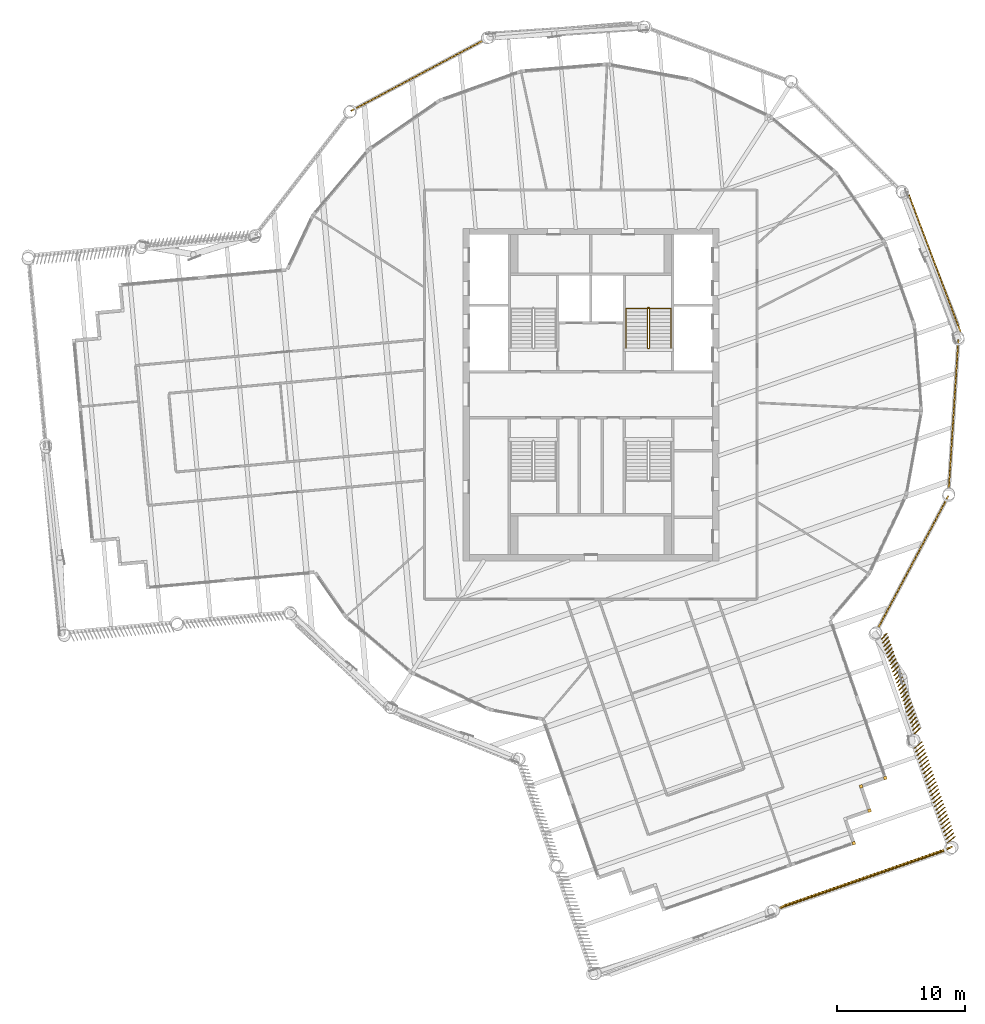
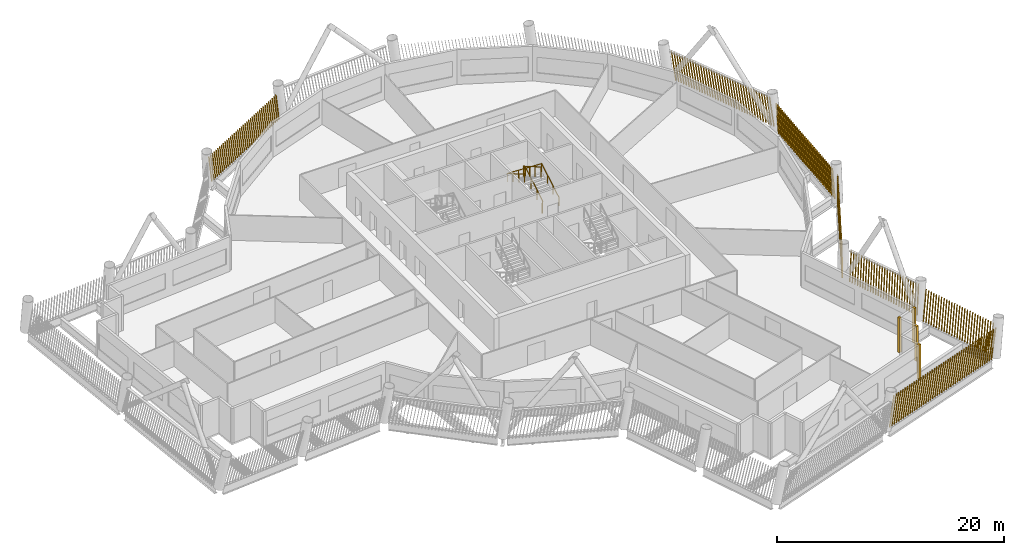
# One storey, part 21 of 23: 11 shading devices, 2 railings.
"""IFC4 building model written with IfcOpenShell, lengths in metres."""

from ifc_helpers import new_model, si_unit, direction, frame, frame_2d, origin, origin_2d, place, context, subcontext, project, spatial, rectangle, circle, composite_profile, extrude, material, type_object, element, save


model = new_model("IFC4")

# Units and contexts
model_context = context("Model", 3, precision=1e-05, world=origin(), true_north=direction((0.0, 1.0)))
body_context = subcontext(model_context, "Body", "Model", "MODEL_VIEW")
ifc_project = project(units=[si_unit("LENGTHUNIT", "METRE"), si_unit("AREAUNIT", "SQUARE_METRE"), si_unit("VOLUMEUNIT", "CUBIC_METRE"), si_unit("PLANEANGLEUNIT", "RADIAN"), si_unit("MASSUNIT", "GRAM", prefix="KILO")], contexts=[model_context])

# Site, building, storey
site_placement = place(None, origin())
site = spatial("IfcSite", under=ifc_project, at=site_placement, CompositionType="ELEMENT")
building_placement = place(site_placement, origin())
building = spatial("IfcBuilding", under=site, at=building_placement, Name="Tarsis Ring Headquarters", CompositionType="ELEMENT")
storey_placement = place(building_placement, frame((0.0, 0.0, 308.0)))
storey = spatial("IfcBuildingStorey", under=building, at=storey_placement, Name="L72", CompositionType="ELEMENT", Elevation=308.0)

# Railings
ifc_material_1 = material(Name="Steel S355", Category="steel")
railing_type_1 = type_object("IfcRailingType", Name="Core stair guard 1100", PredefinedType="GUARDRAIL", material=ifc_material_1)
railing_1_placement = place(storey_placement, frame((4.4599609375, 3.610107421875, 0.0)))
element("IfcRailing", 1, at=railing_1_placement, inside=storey, type_object=railing_type_1, Name="L72 ST2 stair guard 1", PredefinedType="GUARDRAIL", context=body_context, shape_type="SweptSolid", body=[
    extrude(circle(Radius=0.02392578125, at=origin_2d()), frame((0.0, 0.0, 1.076171875), z_axis=(1.0, 0.0, 0.0), x_axis=(0.0, 1.0, 0.0)), (0.0, 0.0, 1.0), 0.080078125),
    extrude(circle(Radius=0.02392578125, at=origin_2d()), frame((0.080078125, 0.0, 1.076171875), z_axis=(0.282336740067, 0.280959487676, 0.917250092119), x_axis=(-0.705375805398, 0.708833529934, 0.0)), (0.0, 0.0, 1.0), 0.17724609375),
    extrude(circle(Radius=0.02392578125, at=origin_2d()), frame((0.130126953125, 0.0498046875, 1.23876953125), z_axis=(0.0, 0.864920483161, 0.501908913857), x_axis=(-1.0, 0.0, 0.0)), (0.0, 0.0, 1.0), 3.56103515625),
    extrude(circle(Radius=0.02392578125, at=origin_2d()), frame((0.130126953125, 3.1298828125, 3.02587890625), z_axis=(-0.707106781187, 0.707106781187, 0.0), x_axis=(-0.707106781187, -0.707106781187, 0.0)), (0.0, 0.0, 1.0), 0.07080078125),
    extrude(circle(Radius=0.02392578125, at=origin_2d()), frame((0.080078125, 3.179931640625, 3.02587890625), z_axis=(-1.0, 0.0, 0.0), x_axis=(0.0, -1.0, 0.0)), (0.0, 0.0, 1.0), 0.080078125),
    extrude(circle(Radius=0.02392578125, at=origin_2d()), frame((0.0, 3.179931640625, 3.02587890625), z_axis=(-0.282227285176, -0.282227285176, 0.916894497205), x_axis=(0.707106781187, -0.707106781187, 0.0)), (0.0, 0.0, 1.0), 0.17724609375),
    extrude(circle(Radius=0.02392578125, at=origin_2d()), frame((-0.050048828125, 3.1298828125, 3.1884765625), z_axis=(0.0, -0.864920483161, 0.501908913857), x_axis=(1.0, 0.0, 0.0)), (0.0, 0.0, 1.0), 3.56103515625),
    extrude(circle(Radius=0.02099609375, at=origin_2d()), origin(), (0.0, 0.0, 1.0), 1.052001953125),
    extrude(circle(Radius=0.02099609375, at=origin_2d()), frame((0.080078125, 0.0, 0.0)), (0.0, 0.0, 1.0), 1.052001953125),
    extrude(circle(Radius=0.02099609375, at=origin_2d()), frame((0.130126953125, 0.0498046875, 0.16259765625)), (0.0, 0.0, 1.0), 1.052001953125),
    extrude(circle(Radius=0.02099609375, at=origin_2d()), frame((0.130126953125, 1.076416015625, 0.75830078125)), (0.0, 0.0, 1.0), 1.052001953125),
    extrude(circle(Radius=0.02099609375, at=origin_2d()), frame((0.130126953125, 2.103271484375, 1.354248046875)), (0.0, 0.0, 1.0), 1.052001953125),
    extrude(circle(Radius=0.02099609375, at=origin_2d()), frame((0.130126953125, 3.1298828125, 1.949951171875)), (0.0, 0.0, 1.0), 1.052001953125),
    extrude(circle(Radius=0.02099609375, at=origin_2d()), frame((0.080078125, 3.179931640625, 1.949951171875)), (0.0, 0.0, 1.0), 1.052001953125),
    extrude(circle(Radius=0.02099609375, at=origin_2d()), frame((0.0, 3.179931640625, 1.949951171875)), (0.0, 0.0, 1.0), 1.052001953125),
    extrude(circle(Radius=0.02099609375, at=origin_2d()), frame((-0.050048828125, 3.1298828125, 2.112548828125)), (0.0, 0.0, 1.0), 1.052001953125),
    extrude(circle(Radius=0.02099609375, at=origin_2d()), frame((-0.050048828125, 2.103271484375, 2.708251953125)), (0.0, 0.0, 1.0), 1.052001953125),
    extrude(circle(Radius=0.02099609375, at=origin_2d()), frame((-0.050048828125, 1.076416015625, 3.30419921875)), (0.0, 0.0, 1.0), 1.052001953125),
    extrude(circle(Radius=0.02099609375, at=origin_2d()), frame((-0.050048828125, 0.0498046875, 3.89990234375)), (0.0, 0.0, 1.0), 1.052001953125),
])
railing_type_2 = type_object("IfcRailingType", Name="Core stair handrail 900", PredefinedType="HANDRAIL", material=ifc_material_1)
railing_2_placement = place(storey_placement, frame((6.25, 3.659912109375, 0.16259765625)))
element("IfcRailing", 2, at=railing_2_placement, inside=storey, type_object=railing_type_2, Name="L72 ST2 stair handrail 1", PredefinedType="HANDRAIL", context=body_context, shape_type="SweptSolid", body=[
    extrude(circle(Radius=0.02392578125, at=origin_2d()), frame((0.0, 0.0, 0.8759765625), z_axis=(0.0, 0.864920483161, 0.501908913857), x_axis=(-1.0, 0.0, 0.0)), (0.0, 0.0, 1.0), 3.56103515625),
    extrude(circle(Radius=0.02392578125, at=origin_2d()), frame((0.0, 3.080078125, 2.6630859375), z_axis=(-0.998922641604, 0.0, 0.046406422943), x_axis=(0.0, -1.0, 0.0)), (0.0, 0.0, 1.0), 3.503662109375),
    extrude(circle(Radius=0.02392578125, at=origin_2d()), frame((-3.5, 3.080078125, 2.82568359375), z_axis=(0.0, -0.864920483161, 0.501908913857), x_axis=(1.0, 0.0, 0.0)), (0.0, 0.0, 1.0), 3.56103515625),
    extrude(circle(Radius=0.02099609375, at=origin_2d()), origin(), (0.0, 0.0, 1.0), 0.851806640625),
    extrude(circle(Radius=0.02099609375, at=origin_2d()), frame((0.0, 1.026611328125, 0.595703125)), (0.0, 0.0, 1.0), 0.851806640625),
    extrude(circle(Radius=0.02099609375, at=origin_2d()), frame((0.0, 2.053466796875, 1.191650390625)), (0.0, 0.0, 1.0), 0.851806640625),
    extrude(circle(Radius=0.02099609375, at=origin_2d()), frame((0.0, 3.080078125, 1.787353515625)), (0.0, 0.0, 1.0), 0.851806640625),
    extrude(circle(Radius=0.02099609375, at=origin_2d()), frame((-1.166748046875, 3.080078125, 1.841552734375)), (0.0, 0.0, 1.0), 0.851806640625),
    extrude(circle(Radius=0.02099609375, at=origin_2d()), frame((-2.333251953125, 3.080078125, 1.895751953125)), (0.0, 0.0, 1.0), 0.851806640625),
    extrude(circle(Radius=0.02099609375, at=origin_2d()), frame((-3.5, 3.080078125, 1.949951171875)), (0.0, 0.0, 1.0), 0.851806640625),
    extrude(circle(Radius=0.02099609375, at=origin_2d()), frame((-3.5, 2.053466796875, 2.545654296875)), (0.0, 0.0, 1.0), 0.851806640625),
    extrude(circle(Radius=0.02099609375, at=origin_2d()), frame((-3.5, 1.026611328125, 3.1416015625)), (0.0, 0.0, 1.0), 0.851806640625),
    extrude(circle(Radius=0.02099609375, at=origin_2d()), frame((-3.5, 0.0, 3.7373046875)), (0.0, 0.0, 1.0), 0.851806640625),
])

# Shading devices
ifc_material_2 = material(Name="Terracotta baguette", Category="masonry")
shading_device_type_1 = type_object("IfcShadingDeviceType", Name="Terracotta baguette screen", PredefinedType="USERDEFINED", material=ifc_material_2)
shading_device_1_placement = place(storey_placement, frame((14.547607421875, -40.2548828125, 0.0), z_axis=(0.0, 0.0, 1.0), x_axis=(0.944378593543, 0.328863334808, 0.0)))
element("IfcShadingDevice", 3, at=shading_device_1_placement, inside=storey, type_object=shading_device_type_1, Name="Baguette screen L72-04", ObjectType="Terracotta baguette screen", PredefinedType="USERDEFINED", context=body_context, shape_type="SweptSolid", body=[
    extrude(composite_profile([rectangle(XDim=0.06005859375, YDim=0.1201171875, at=frame_2d((0.030029296875, 0.0))), rectangle(XDim=0.06005859375, YDim=0.1201171875, at=frame_2d((0.33544921875, 0.0))), rectangle(XDim=0.06005859375, YDim=0.1201171875, at=frame_2d((0.640625, 0.0))), rectangle(XDim=0.06005859375, YDim=0.1201171875, at=frame_2d((0.946044921875, 0.0))), rectangle(XDim=0.06005859375, YDim=0.1201171875, at=frame_2d((1.25146484375, 0.0))), rectangle(XDim=0.06005859375, YDim=0.1201171875, at=frame_2d((1.556640625, 0.0))), rectangle(XDim=0.06005859375, YDim=0.1201171875, at=frame_2d((1.862060546875, 0.0))), rectangle(XDim=0.06005859375, YDim=0.1201171875, at=frame_2d((2.16748046875, 0.0))), rectangle(XDim=0.06005859375, YDim=0.1201171875, at=frame_2d((2.47265625, 0.0))), rectangle(XDim=0.06005859375, YDim=0.1201171875, at=frame_2d((2.778076171875, 0.0))), rectangle(XDim=0.06005859375, YDim=0.1201171875, at=frame_2d((3.08349609375, 0.0))), rectangle(XDim=0.06005859375, YDim=0.1201171875, at=frame_2d((3.388671875, 0.0))), rectangle(XDim=0.06005859375, YDim=0.1201171875, at=frame_2d((3.694091796875, 0.0))), rectangle(XDim=0.06005859375, YDim=0.1201171875, at=frame_2d((3.99951171875, 0.0))), rectangle(XDim=0.06005859375, YDim=0.1201171875, at=frame_2d((4.3046875, 0.0))), rectangle(XDim=0.06005859375, YDim=0.1201171875, at=frame_2d((4.610107421875, 0.0))), rectangle(XDim=0.06005859375, YDim=0.1201171875, at=frame_2d((4.91552734375, 0.0))), rectangle(XDim=0.06005859375, YDim=0.1201171875, at=frame_2d((5.220703125, 0.0))), rectangle(XDim=0.06005859375, YDim=0.1201171875, at=frame_2d((5.526123046875, 0.0))), rectangle(XDim=0.06005859375, YDim=0.1201171875, at=frame_2d((5.83154296875, 0.0))), rectangle(XDim=0.06005859375, YDim=0.1201171875, at=frame_2d((6.13671875, 0.0))), rectangle(XDim=0.06005859375, YDim=0.1201171875, at=frame_2d((6.442138671875, 0.0))), rectangle(XDim=0.06005859375, YDim=0.1201171875, at=frame_2d((6.74755859375, 0.0))), rectangle(XDim=0.06005859375, YDim=0.1201171875, at=frame_2d((7.052734375, 0.0))), rectangle(XDim=0.06005859375, YDim=0.1201171875, at=frame_2d((7.358154296875, 0.0))), rectangle(XDim=0.06005859375, YDim=0.1201171875, at=frame_2d((7.66357421875, 0.0))), rectangle(XDim=0.06005859375, YDim=0.1201171875, at=frame_2d((7.96875, 0.0))), rectangle(XDim=0.06005859375, YDim=0.1201171875, at=frame_2d((8.274169921875, 0.0))), rectangle(XDim=0.06005859375, YDim=0.1201171875, at=frame_2d((8.57958984375, 0.0))), rectangle(XDim=0.06005859375, YDim=0.1201171875, at=frame_2d((8.884765625, 0.0))), rectangle(XDim=0.06005859375, YDim=0.1201171875, at=frame_2d((9.190185546875, 0.0))), rectangle(XDim=0.06005859375, YDim=0.1201171875, at=frame_2d((9.49560546875, 0.0))), rectangle(XDim=0.06005859375, YDim=0.1201171875, at=frame_2d((9.80078125, 0.0))), rectangle(XDim=0.06005859375, YDim=0.1201171875, at=frame_2d((10.106201171875, 0.0))), rectangle(XDim=0.06005859375, YDim=0.1201171875, at=frame_2d((10.41162109375, 0.0))), rectangle(XDim=0.06005859375, YDim=0.1201171875, at=frame_2d((10.716796875, 0.0))), rectangle(XDim=0.06005859375, YDim=0.1201171875, at=frame_2d((11.022216796875, 0.0))), rectangle(XDim=0.06005859375, YDim=0.1201171875, at=frame_2d((11.32763671875, 0.0))), rectangle(XDim=0.06005859375, YDim=0.1201171875, at=frame_2d((11.6328125, 0.0))), rectangle(XDim=0.06005859375, YDim=0.1201171875, at=frame_2d((11.938232421875, 0.0))), rectangle(XDim=0.06005859375, YDim=0.1201171875, at=frame_2d((12.24365234375, 0.0))), rectangle(XDim=0.06005859375, YDim=0.1201171875, at=frame_2d((12.548828125, 0.0))), rectangle(XDim=0.06005859375, YDim=0.1201171875, at=frame_2d((12.854248046875, 0.0))), rectangle(XDim=0.06005859375, YDim=0.1201171875, at=frame_2d((13.15966796875, 0.0))), rectangle(XDim=0.06005859375, YDim=0.1201171875, at=frame_2d((13.46484375, 0.0))), rectangle(XDim=0.06005859375, YDim=0.1201171875, at=frame_2d((13.770263671875, 0.0)))]), origin(), (0.252586616354, 0.046037222294, 0.966478440216), 3.07080078125),
])
shading_device_2_placement = place(storey_placement, frame((27.887939453125, -35.079833984375, 0.0), z_axis=(0.0, 0.0, 1.0), x_axis=(-0.328874196738, 0.944358625803, 0.0)))
element("IfcShadingDevice", 4, at=shading_device_2_placement, inside=storey, type_object=shading_device_type_1, Name="Baguette screen L72-05", ObjectType="Terracotta baguette screen", PredefinedType="USERDEFINED", context=body_context, shape_type="SweptSolid", body=[
    extrude(composite_profile([rectangle(XDim=0.06005859375, YDim=0.1201171875, at=frame_2d((0.030029296875, 0.0))), rectangle(XDim=0.06005859375, YDim=0.1201171875, at=frame_2d((0.33154296875, 0.0))), rectangle(XDim=0.06005859375, YDim=0.1201171875, at=frame_2d((0.63330078125, 0.0))), rectangle(XDim=0.06005859375, YDim=0.1201171875, at=frame_2d((0.934814453125, 0.0))), rectangle(XDim=0.06005859375, YDim=0.1201171875, at=frame_2d((1.236572265625, 0.0))), rectangle(XDim=0.06005859375, YDim=0.1201171875, at=frame_2d((1.5380859375, 0.0))), rectangle(XDim=0.06005859375, YDim=0.1201171875, at=frame_2d((1.83984375, 0.0))), rectangle(XDim=0.06005859375, YDim=0.1201171875, at=frame_2d((2.141357421875, 0.0))), rectangle(XDim=0.06005859375, YDim=0.1201171875, at=frame_2d((2.443115234375, 0.0))), rectangle(XDim=0.06005859375, YDim=0.1201171875, at=frame_2d((2.74462890625, 0.0))), rectangle(XDim=0.06005859375, YDim=0.1201171875, at=frame_2d((3.04638671875, 0.0))), rectangle(XDim=0.06005859375, YDim=0.1201171875, at=frame_2d((3.347900390625, 0.0))), rectangle(XDim=0.06005859375, YDim=0.1201171875, at=frame_2d((3.649658203125, 0.0))), rectangle(XDim=0.06005859375, YDim=0.1201171875, at=frame_2d((3.951171875, 0.0))), rectangle(XDim=0.06005859375, YDim=0.1201171875, at=frame_2d((4.252685546875, 0.0))), rectangle(XDim=0.06005859375, YDim=0.1201171875, at=frame_2d((4.554443359375, 0.0))), rectangle(XDim=0.06005859375, YDim=0.1201171875, at=frame_2d((4.85595703125, 0.0))), rectangle(XDim=0.06005859375, YDim=0.1201171875, at=frame_2d((5.15771484375, 0.0))), rectangle(XDim=0.06005859375, YDim=0.1201171875, at=frame_2d((5.459228515625, 0.0))), rectangle(XDim=0.06005859375, YDim=0.1201171875, at=frame_2d((5.760986328125, 0.0))), rectangle(XDim=0.06005859375, YDim=0.1201171875, at=frame_2d((6.0625, 0.0))), rectangle(XDim=0.06005859375, YDim=0.1201171875, at=frame_2d((6.3642578125, 0.0))), rectangle(XDim=0.06005859375, YDim=0.1201171875, at=frame_2d((6.665771484375, 0.0))), rectangle(XDim=0.06005859375, YDim=0.1201171875, at=frame_2d((6.967529296875, 0.0))), rectangle(XDim=0.06005859375, YDim=0.1201171875, at=frame_2d((7.26904296875, 0.0))), rectangle(XDim=0.06005859375, YDim=0.1201171875, at=frame_2d((7.57080078125, 0.0))), rectangle(XDim=0.06005859375, YDim=0.1201171875, at=frame_2d((7.872314453125, 0.0)))]), origin(), (0.089843205079, -0.226658781831, 0.969821630569), 3.06005859375),
])
shading_device_3_placement = place(storey_placement, frame((25.314208984375, -26.549560546875, 0.0), z_axis=(0.0, 0.0, 1.0), x_axis=(-0.328853461859, 0.944387802391, 0.0)))
element("IfcShadingDevice", 5, at=shading_device_3_placement, inside=storey, type_object=shading_device_type_1, Name="Baguette screen L72-06", ObjectType="Terracotta baguette screen", PredefinedType="USERDEFINED", context=body_context, shape_type="SweptSolid", body=[
    extrude(composite_profile([rectangle(XDim=0.06005859375, YDim=0.1201171875, at=frame_2d((0.030029296875, 0.0))), rectangle(XDim=0.06005859375, YDim=0.1201171875, at=frame_2d((0.33154296875, 0.0))), rectangle(XDim=0.06005859375, YDim=0.1201171875, at=frame_2d((0.63330078125, 0.0))), rectangle(XDim=0.06005859375, YDim=0.1201171875, at=frame_2d((0.934814453125, 0.0))), rectangle(XDim=0.06005859375, YDim=0.1201171875, at=frame_2d((1.236572265625, 0.0))), rectangle(XDim=0.06005859375, YDim=0.1201171875, at=frame_2d((1.5380859375, 0.0))), rectangle(XDim=0.06005859375, YDim=0.1201171875, at=frame_2d((1.83984375, 0.0))), rectangle(XDim=0.06005859375, YDim=0.1201171875, at=frame_2d((2.141357421875, 0.0))), rectangle(XDim=0.06005859375, YDim=0.1201171875, at=frame_2d((2.443115234375, 0.0))), rectangle(XDim=0.06005859375, YDim=0.1201171875, at=frame_2d((2.74462890625, 0.0))), rectangle(XDim=0.06005859375, YDim=0.1201171875, at=frame_2d((3.04638671875, 0.0))), rectangle(XDim=0.06005859375, YDim=0.1201171875, at=frame_2d((3.347900390625, 0.0))), rectangle(XDim=0.06005859375, YDim=0.1201171875, at=frame_2d((3.649658203125, 0.0))), rectangle(XDim=0.06005859375, YDim=0.1201171875, at=frame_2d((3.951171875, 0.0))), rectangle(XDim=0.06005859375, YDim=0.1201171875, at=frame_2d((4.252685546875, 0.0))), rectangle(XDim=0.06005859375, YDim=0.1201171875, at=frame_2d((4.554443359375, 0.0))), rectangle(XDim=0.06005859375, YDim=0.1201171875, at=frame_2d((4.85595703125, 0.0))), rectangle(XDim=0.06005859375, YDim=0.1201171875, at=frame_2d((5.15771484375, 0.0))), rectangle(XDim=0.06005859375, YDim=0.1201171875, at=frame_2d((5.459228515625, 0.0))), rectangle(XDim=0.06005859375, YDim=0.1201171875, at=frame_2d((5.760986328125, 0.0))), rectangle(XDim=0.06005859375, YDim=0.1201171875, at=frame_2d((6.0625, 0.0))), rectangle(XDim=0.06005859375, YDim=0.1201171875, at=frame_2d((6.3642578125, 0.0))), rectangle(XDim=0.06005859375, YDim=0.1201171875, at=frame_2d((6.665771484375, 0.0))), rectangle(XDim=0.06005859375, YDim=0.1201171875, at=frame_2d((6.967529296875, 0.0))), rectangle(XDim=0.06005859375, YDim=0.1201171875, at=frame_2d((7.26904296875, 0.0))), rectangle(XDim=0.06005859375, YDim=0.1201171875, at=frame_2d((7.57080078125, 0.0))), rectangle(XDim=0.06005859375, YDim=0.1201171875, at=frame_2d((7.872314453125, 0.0)))]), origin(), (0.092565401111, -0.175678700278, 0.98008603744), 3.028076171875),
])
shading_device_4_placement = place(storey_placement, frame((22.431640625, -18.29638671875, 0.0), z_axis=(0.0, 0.0, 1.0), x_axis=(0.469451980467, 0.88295170917, 0.0)))
element("IfcShadingDevice", 6, at=shading_device_4_placement, inside=storey, type_object=shading_device_type_1, Name="Baguette screen L72-07", ObjectType="Terracotta baguette screen", PredefinedType="USERDEFINED", context=body_context, shape_type="SweptSolid", body=[
    extrude(composite_profile([rectangle(XDim=0.06005859375, YDim=0.1201171875, at=frame_2d((0.030029296875, 0.0))), rectangle(XDim=0.06005859375, YDim=0.1201171875, at=frame_2d((0.33251953125, 0.0))), rectangle(XDim=0.06005859375, YDim=0.1201171875, at=frame_2d((0.634765625, 0.0))), rectangle(XDim=0.06005859375, YDim=0.1201171875, at=frame_2d((0.937255859375, 0.0))), rectangle(XDim=0.06005859375, YDim=0.1201171875, at=frame_2d((1.239501953125, 0.0))), rectangle(XDim=0.06005859375, YDim=0.1201171875, at=frame_2d((1.5419921875, 0.0))), rectangle(XDim=0.06005859375, YDim=0.1201171875, at=frame_2d((1.844482421875, 0.0))), rectangle(XDim=0.06005859375, YDim=0.1201171875, at=frame_2d((2.146728515625, 0.0))), rectangle(XDim=0.06005859375, YDim=0.1201171875, at=frame_2d((2.44921875, 0.0))), rectangle(XDim=0.06005859375, YDim=0.1201171875, at=frame_2d((2.751708984375, 0.0))), rectangle(XDim=0.06005859375, YDim=0.1201171875, at=frame_2d((3.053955078125, 0.0))), rectangle(XDim=0.06005859375, YDim=0.1201171875, at=frame_2d((3.3564453125, 0.0))), rectangle(XDim=0.06005859375, YDim=0.1201171875, at=frame_2d((3.65869140625, 0.0))), rectangle(XDim=0.06005859375, YDim=0.1201171875, at=frame_2d((3.961181640625, 0.0))), rectangle(XDim=0.06005859375, YDim=0.1201171875, at=frame_2d((4.263671875, 0.0))), rectangle(XDim=0.06005859375, YDim=0.1201171875, at=frame_2d((4.56591796875, 0.0))), rectangle(XDim=0.06005859375, YDim=0.1201171875, at=frame_2d((4.868408203125, 0.0))), rectangle(XDim=0.06005859375, YDim=0.1201171875, at=frame_2d((5.1708984375, 0.0))), rectangle(XDim=0.06005859375, YDim=0.1201171875, at=frame_2d((5.47314453125, 0.0))), rectangle(XDim=0.06005859375, YDim=0.1201171875, at=frame_2d((5.775634765625, 0.0))), rectangle(XDim=0.06005859375, YDim=0.1201171875, at=frame_2d((6.077880859375, 0.0))), rectangle(XDim=0.06005859375, YDim=0.1201171875, at=frame_2d((6.38037109375, 0.0))), rectangle(XDim=0.06005859375, YDim=0.1201171875, at=frame_2d((6.682861328125, 0.0))), rectangle(XDim=0.06005859375, YDim=0.1201171875, at=frame_2d((6.985107421875, 0.0))), rectangle(XDim=0.06005859375, YDim=0.1201171875, at=frame_2d((7.28759765625, 0.0))), rectangle(XDim=0.06005859375, YDim=0.1201171875, at=frame_2d((7.590087890625, 0.0))), rectangle(XDim=0.06005859375, YDim=0.1201171875, at=frame_2d((7.892333984375, 0.0))), rectangle(XDim=0.06005859375, YDim=0.1201171875, at=frame_2d((8.19482421875, 0.0))), rectangle(XDim=0.06005859375, YDim=0.1201171875, at=frame_2d((8.4970703125, 0.0))), rectangle(XDim=0.06005859375, YDim=0.1201171875, at=frame_2d((8.799560546875, 0.0))), rectangle(XDim=0.06005859375, YDim=0.1201171875, at=frame_2d((9.10205078125, 0.0))), rectangle(XDim=0.06005859375, YDim=0.1201171875, at=frame_2d((9.404296875, 0.0))), rectangle(XDim=0.06005859375, YDim=0.1201171875, at=frame_2d((9.706787109375, 0.0))), rectangle(XDim=0.06005859375, YDim=0.1201171875, at=frame_2d((10.00927734375, 0.0))), rectangle(XDim=0.06005859375, YDim=0.1201171875, at=frame_2d((10.3115234375, 0.0))), rectangle(XDim=0.06005859375, YDim=0.1201171875, at=frame_2d((10.614013671875, 0.0))), rectangle(XDim=0.06005859375, YDim=0.1201171875, at=frame_2d((10.916259765625, 0.0))), rectangle(XDim=0.06005859375, YDim=0.1201171875, at=frame_2d((11.21875, 0.0)))]), origin(), (0.171100555081, 0.001553518102, 0.985252346677), 3.01220703125),
])
shading_device_5_placement = place(storey_placement, frame((27.97900390625, -7.423828125, 0.0), z_axis=(0.0, 0.0, 1.0), x_axis=(0.063785918917, 0.997959892352, 0.0)))
element("IfcShadingDevice", 7, at=shading_device_5_placement, inside=storey, type_object=shading_device_type_1, Name="Baguette screen L72-08", ObjectType="Terracotta baguette screen", PredefinedType="USERDEFINED", context=body_context, shape_type="SweptSolid", body=[
    extrude(composite_profile([rectangle(XDim=0.06005859375, YDim=0.1201171875, at=frame_2d((0.030029296875, 0.0))), rectangle(XDim=0.06005859375, YDim=0.1201171875, at=frame_2d((0.33251953125, 0.0))), rectangle(XDim=0.06005859375, YDim=0.1201171875, at=frame_2d((0.634765625, 0.0))), rectangle(XDim=0.06005859375, YDim=0.1201171875, at=frame_2d((0.937255859375, 0.0))), rectangle(XDim=0.06005859375, YDim=0.1201171875, at=frame_2d((1.239501953125, 0.0))), rectangle(XDim=0.06005859375, YDim=0.1201171875, at=frame_2d((1.5419921875, 0.0))), rectangle(XDim=0.06005859375, YDim=0.1201171875, at=frame_2d((1.844482421875, 0.0))), rectangle(XDim=0.06005859375, YDim=0.1201171875, at=frame_2d((2.146728515625, 0.0))), rectangle(XDim=0.06005859375, YDim=0.1201171875, at=frame_2d((2.44921875, 0.0))), rectangle(XDim=0.06005859375, YDim=0.1201171875, at=frame_2d((2.751708984375, 0.0))), rectangle(XDim=0.06005859375, YDim=0.1201171875, at=frame_2d((3.053955078125, 0.0))), rectangle(XDim=0.06005859375, YDim=0.1201171875, at=frame_2d((3.3564453125, 0.0))), rectangle(XDim=0.06005859375, YDim=0.1201171875, at=frame_2d((3.65869140625, 0.0))), rectangle(XDim=0.06005859375, YDim=0.1201171875, at=frame_2d((3.961181640625, 0.0))), rectangle(XDim=0.06005859375, YDim=0.1201171875, at=frame_2d((4.263671875, 0.0))), rectangle(XDim=0.06005859375, YDim=0.1201171875, at=frame_2d((4.56591796875, 0.0))), rectangle(XDim=0.06005859375, YDim=0.1201171875, at=frame_2d((4.868408203125, 0.0))), rectangle(XDim=0.06005859375, YDim=0.1201171875, at=frame_2d((5.1708984375, 0.0))), rectangle(XDim=0.06005859375, YDim=0.1201171875, at=frame_2d((5.47314453125, 0.0))), rectangle(XDim=0.06005859375, YDim=0.1201171875, at=frame_2d((5.775634765625, 0.0))), rectangle(XDim=0.06005859375, YDim=0.1201171875, at=frame_2d((6.077880859375, 0.0))), rectangle(XDim=0.06005859375, YDim=0.1201171875, at=frame_2d((6.38037109375, 0.0))), rectangle(XDim=0.06005859375, YDim=0.1201171875, at=frame_2d((6.682861328125, 0.0))), rectangle(XDim=0.06005859375, YDim=0.1201171875, at=frame_2d((6.985107421875, 0.0))), rectangle(XDim=0.06005859375, YDim=0.1201171875, at=frame_2d((7.28759765625, 0.0))), rectangle(XDim=0.06005859375, YDim=0.1201171875, at=frame_2d((7.590087890625, 0.0))), rectangle(XDim=0.06005859375, YDim=0.1201171875, at=frame_2d((7.892333984375, 0.0))), rectangle(XDim=0.06005859375, YDim=0.1201171875, at=frame_2d((8.19482421875, 0.0))), rectangle(XDim=0.06005859375, YDim=0.1201171875, at=frame_2d((8.4970703125, 0.0))), rectangle(XDim=0.06005859375, YDim=0.1201171875, at=frame_2d((8.799560546875, 0.0))), rectangle(XDim=0.06005859375, YDim=0.1201171875, at=frame_2d((9.10205078125, 0.0))), rectangle(XDim=0.06005859375, YDim=0.1201171875, at=frame_2d((9.404296875, 0.0))), rectangle(XDim=0.06005859375, YDim=0.1201171875, at=frame_2d((9.706787109375, 0.0))), rectangle(XDim=0.06005859375, YDim=0.1201171875, at=frame_2d((10.00927734375, 0.0))), rectangle(XDim=0.06005859375, YDim=0.1201171875, at=frame_2d((10.3115234375, 0.0))), rectangle(XDim=0.06005859375, YDim=0.1201171875, at=frame_2d((10.614013671875, 0.0))), rectangle(XDim=0.06005859375, YDim=0.1201171875, at=frame_2d((10.916259765625, 0.0))), rectangle(XDim=0.06005859375, YDim=0.1201171875, at=frame_2d((11.21875, 0.0)))]), origin(), (0.171100638785, 0.001555779163, 0.985252328573), 3.01220703125),
])
shading_device_6_placement = place(storey_placement, frame((28.902587890625, 4.9013671875, 0.0), z_axis=(0.0, 0.0, 1.0), x_axis=(-0.353250135648, 0.935539880629, 0.0)))
element("IfcShadingDevice", 8, at=shading_device_6_placement, inside=storey, type_object=shading_device_type_1, Name="Baguette screen L72-09", ObjectType="Terracotta baguette screen", PredefinedType="USERDEFINED", context=body_context, shape_type="SweptSolid", body=[
    extrude(composite_profile([rectangle(XDim=0.06005859375, YDim=0.1201171875, at=frame_2d((0.030029296875, 0.0))), rectangle(XDim=0.06005859375, YDim=0.1201171875, at=frame_2d((0.33251953125, 0.0))), rectangle(XDim=0.06005859375, YDim=0.1201171875, at=frame_2d((0.634765625, 0.0))), rectangle(XDim=0.06005859375, YDim=0.1201171875, at=frame_2d((0.937255859375, 0.0))), rectangle(XDim=0.06005859375, YDim=0.1201171875, at=frame_2d((1.239501953125, 0.0))), rectangle(XDim=0.06005859375, YDim=0.1201171875, at=frame_2d((1.5419921875, 0.0))), rectangle(XDim=0.06005859375, YDim=0.1201171875, at=frame_2d((1.844482421875, 0.0))), rectangle(XDim=0.06005859375, YDim=0.1201171875, at=frame_2d((2.146728515625, 0.0))), rectangle(XDim=0.06005859375, YDim=0.1201171875, at=frame_2d((2.44921875, 0.0))), rectangle(XDim=0.06005859375, YDim=0.1201171875, at=frame_2d((2.751708984375, 0.0))), rectangle(XDim=0.06005859375, YDim=0.1201171875, at=frame_2d((3.053955078125, 0.0))), rectangle(XDim=0.06005859375, YDim=0.1201171875, at=frame_2d((3.3564453125, 0.0))), rectangle(XDim=0.06005859375, YDim=0.1201171875, at=frame_2d((3.65869140625, 0.0))), rectangle(XDim=0.06005859375, YDim=0.1201171875, at=frame_2d((3.961181640625, 0.0))), rectangle(XDim=0.06005859375, YDim=0.1201171875, at=frame_2d((4.263671875, 0.0))), rectangle(XDim=0.06005859375, YDim=0.1201171875, at=frame_2d((4.56591796875, 0.0))), rectangle(XDim=0.06005859375, YDim=0.1201171875, at=frame_2d((4.868408203125, 0.0))), rectangle(XDim=0.06005859375, YDim=0.1201171875, at=frame_2d((5.1708984375, 0.0))), rectangle(XDim=0.06005859375, YDim=0.1201171875, at=frame_2d((5.47314453125, 0.0))), rectangle(XDim=0.06005859375, YDim=0.1201171875, at=frame_2d((5.775634765625, 0.0))), rectangle(XDim=0.06005859375, YDim=0.1201171875, at=frame_2d((6.077880859375, 0.0))), rectangle(XDim=0.06005859375, YDim=0.1201171875, at=frame_2d((6.38037109375, 0.0))), rectangle(XDim=0.06005859375, YDim=0.1201171875, at=frame_2d((6.682861328125, 0.0))), rectangle(XDim=0.06005859375, YDim=0.1201171875, at=frame_2d((6.985107421875, 0.0))), rectangle(XDim=0.06005859375, YDim=0.1201171875, at=frame_2d((7.28759765625, 0.0))), rectangle(XDim=0.06005859375, YDim=0.1201171875, at=frame_2d((7.590087890625, 0.0))), rectangle(XDim=0.06005859375, YDim=0.1201171875, at=frame_2d((7.892333984375, 0.0))), rectangle(XDim=0.06005859375, YDim=0.1201171875, at=frame_2d((8.19482421875, 0.0))), rectangle(XDim=0.06005859375, YDim=0.1201171875, at=frame_2d((8.4970703125, 0.0))), rectangle(XDim=0.06005859375, YDim=0.1201171875, at=frame_2d((8.799560546875, 0.0))), rectangle(XDim=0.06005859375, YDim=0.1201171875, at=frame_2d((9.10205078125, 0.0))), rectangle(XDim=0.06005859375, YDim=0.1201171875, at=frame_2d((9.404296875, 0.0))), rectangle(XDim=0.06005859375, YDim=0.1201171875, at=frame_2d((9.706787109375, 0.0))), rectangle(XDim=0.06005859375, YDim=0.1201171875, at=frame_2d((10.00927734375, 0.0))), rectangle(XDim=0.06005859375, YDim=0.1201171875, at=frame_2d((10.3115234375, 0.0))), rectangle(XDim=0.06005859375, YDim=0.1201171875, at=frame_2d((10.614013671875, 0.0))), rectangle(XDim=0.06005859375, YDim=0.1201171875, at=frame_2d((10.916259765625, 0.0))), rectangle(XDim=0.06005859375, YDim=0.1201171875, at=frame_2d((11.21875, 0.0)))]), origin(), (0.173295386901, 0.001573382104, 0.98486863761), 3.013427734375),
])
shading_device_7_placement = place(storey_placement, frame((-8.39208984375, 27.7041015625, 0.0), z_axis=(0.0, 0.0, 1.0), x_axis=(-0.882495930548, -0.470341833966, 0.0)))
element("IfcShadingDevice", 9, at=shading_device_7_placement, inside=storey, type_object=shading_device_type_1, Name="Baguette screen L72-13", ObjectType="Terracotta baguette screen", PredefinedType="USERDEFINED", context=body_context, shape_type="SweptSolid", body=[
    extrude(composite_profile([rectangle(XDim=0.06005859375, YDim=0.1201171875, at=frame_2d((0.030029296875, 0.0))), rectangle(XDim=0.06005859375, YDim=0.1201171875, at=frame_2d((0.33251953125, 0.0))), rectangle(XDim=0.06005859375, YDim=0.1201171875, at=frame_2d((0.634765625, 0.0))), rectangle(XDim=0.06005859375, YDim=0.1201171875, at=frame_2d((0.937255859375, 0.0))), rectangle(XDim=0.06005859375, YDim=0.1201171875, at=frame_2d((1.239501953125, 0.0))), rectangle(XDim=0.06005859375, YDim=0.1201171875, at=frame_2d((1.5419921875, 0.0))), rectangle(XDim=0.06005859375, YDim=0.1201171875, at=frame_2d((1.844482421875, 0.0))), rectangle(XDim=0.06005859375, YDim=0.1201171875, at=frame_2d((2.146728515625, 0.0))), rectangle(XDim=0.06005859375, YDim=0.1201171875, at=frame_2d((2.44921875, 0.0))), rectangle(XDim=0.06005859375, YDim=0.1201171875, at=frame_2d((2.751708984375, 0.0))), rectangle(XDim=0.06005859375, YDim=0.1201171875, at=frame_2d((3.053955078125, 0.0))), rectangle(XDim=0.06005859375, YDim=0.1201171875, at=frame_2d((3.3564453125, 0.0))), rectangle(XDim=0.06005859375, YDim=0.1201171875, at=frame_2d((3.65869140625, 0.0))), rectangle(XDim=0.06005859375, YDim=0.1201171875, at=frame_2d((3.961181640625, 0.0))), rectangle(XDim=0.06005859375, YDim=0.1201171875, at=frame_2d((4.263671875, 0.0))), rectangle(XDim=0.06005859375, YDim=0.1201171875, at=frame_2d((4.56591796875, 0.0))), rectangle(XDim=0.06005859375, YDim=0.1201171875, at=frame_2d((4.868408203125, 0.0))), rectangle(XDim=0.06005859375, YDim=0.1201171875, at=frame_2d((5.1708984375, 0.0))), rectangle(XDim=0.06005859375, YDim=0.1201171875, at=frame_2d((5.47314453125, 0.0))), rectangle(XDim=0.06005859375, YDim=0.1201171875, at=frame_2d((5.775634765625, 0.0))), rectangle(XDim=0.06005859375, YDim=0.1201171875, at=frame_2d((6.077880859375, 0.0))), rectangle(XDim=0.06005859375, YDim=0.1201171875, at=frame_2d((6.38037109375, 0.0))), rectangle(XDim=0.06005859375, YDim=0.1201171875, at=frame_2d((6.682861328125, 0.0))), rectangle(XDim=0.06005859375, YDim=0.1201171875, at=frame_2d((6.985107421875, 0.0))), rectangle(XDim=0.06005859375, YDim=0.1201171875, at=frame_2d((7.28759765625, 0.0))), rectangle(XDim=0.06005859375, YDim=0.1201171875, at=frame_2d((7.590087890625, 0.0))), rectangle(XDim=0.06005859375, YDim=0.1201171875, at=frame_2d((7.892333984375, 0.0))), rectangle(XDim=0.06005859375, YDim=0.1201171875, at=frame_2d((8.19482421875, 0.0))), rectangle(XDim=0.06005859375, YDim=0.1201171875, at=frame_2d((8.4970703125, 0.0))), rectangle(XDim=0.06005859375, YDim=0.1201171875, at=frame_2d((8.799560546875, 0.0))), rectangle(XDim=0.06005859375, YDim=0.1201171875, at=frame_2d((9.10205078125, 0.0))), rectangle(XDim=0.06005859375, YDim=0.1201171875, at=frame_2d((9.404296875, 0.0))), rectangle(XDim=0.06005859375, YDim=0.1201171875, at=frame_2d((9.706787109375, 0.0))), rectangle(XDim=0.06005859375, YDim=0.1201171875, at=frame_2d((10.00927734375, 0.0))), rectangle(XDim=0.06005859375, YDim=0.1201171875, at=frame_2d((10.3115234375, 0.0))), rectangle(XDim=0.06005859375, YDim=0.1201171875, at=frame_2d((10.614013671875, 0.0))), rectangle(XDim=0.06005859375, YDim=0.1201171875, at=frame_2d((10.916259765625, 0.0))), rectangle(XDim=0.06005859375, YDim=0.1201171875, at=frame_2d((11.21875, 0.0)))]), origin(), (0.171103395904, 0.001553336349, 0.985251853617), 3.01220703125),
])
shading_device_type_2 = type_object("IfcShadingDeviceType", Name="Terracotta corner baguette 250x250", PredefinedType="USERDEFINED", material=ifc_material_2)
for number, where, z_axis, x_axis, name in (
    (10, (20.550537109375, -35.067138671875, 0.0), (0.0, 0.0, 1.0), (0.944376375977, 0.328866630256, 0.0), "Corner baguette L72-12"),
    (11, (21.781494140625, -32.520751953125, 0.0), (0.0, 0.0, 1.0), (0.944376427636, 0.328866481914, 0.0), "Corner baguette L72-14"),
    (12, (21.123779296875, -30.6318359375, 0.0), (0.0, 0.0, 1.0), (-0.328866481914, 0.944376427636, 0.0), "Corner baguette L72-15"),
    (13, (23.012451171875, -29.97412109375, 0.0), (0.0, 0.0, 1.0), (0.944376427636, 0.328866481914, 0.0), "Corner baguette L72-16"),
):
    element("IfcShadingDevice", number, at=place(storey_placement, frame(where, z_axis=z_axis, x_axis=x_axis)), inside=storey, type_object=shading_device_type_2, Name=name, ObjectType="Terracotta corner baguette", PredefinedType="USERDEFINED", context=body_context, shape_type="SweptSolid", body=[
        extrude(rectangle(XDim=0.25, YDim=0.25, at=origin_2d()), origin(), (0.0, 0.0, 1.0), 3.739990234375),
    ])

save(model, "model.ifc")
